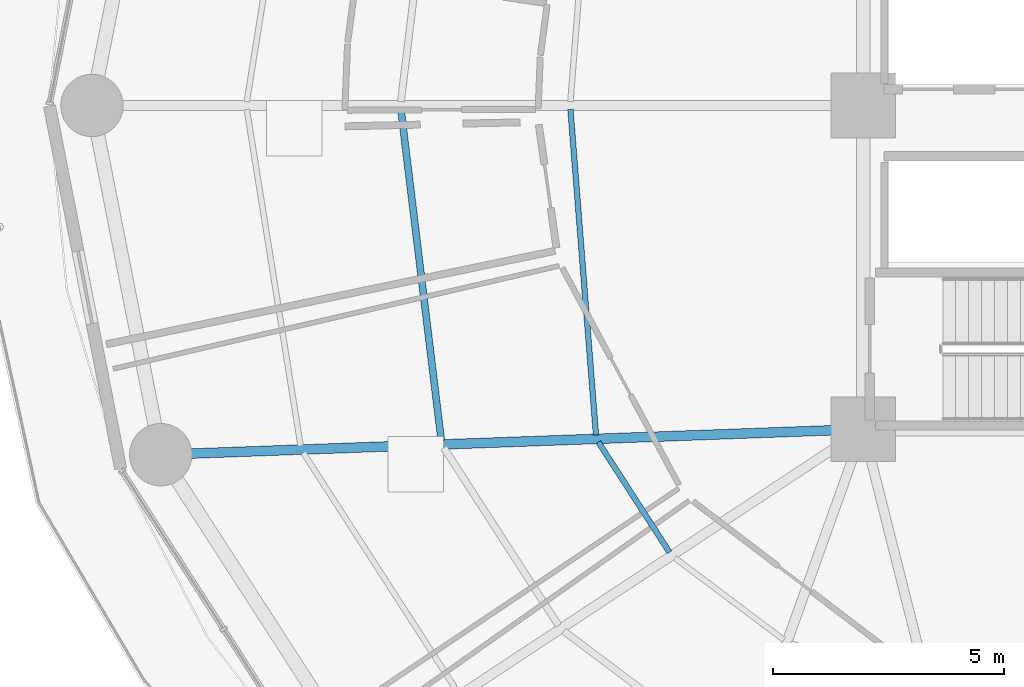
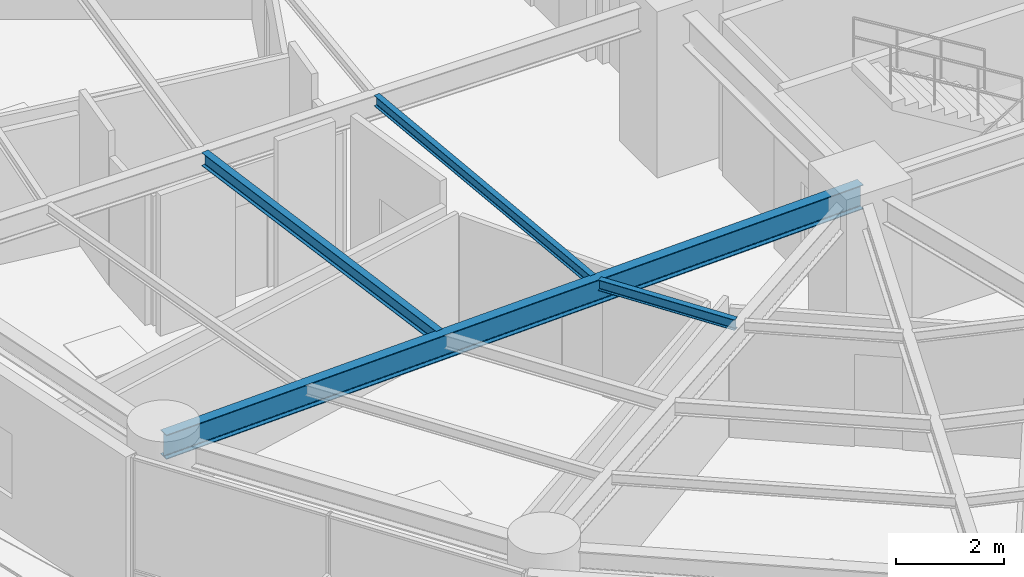
# One storey, part 7 of 35: 4 beams.
"""IFC4 building model written with IfcOpenShell, lengths in metres."""

from ifc_helpers import new_model, si_unit, direction, frame, origin, origin_2d, place, context, subcontext, project, spatial, i_section, extrude, material, material_profile, profile_set, type_object, element, save


model = new_model("IFC4")

# Units and contexts
model_context = context("Model", 3, precision=1e-05, world=origin(), true_north=direction((0.0, 1.0)))
body_context = subcontext(model_context, "Body", "Model", "MODEL_VIEW")
ifc_project = project(units=[si_unit("LENGTHUNIT", "METRE"), si_unit("AREAUNIT", "SQUARE_METRE"), si_unit("VOLUMEUNIT", "CUBIC_METRE"), si_unit("PLANEANGLEUNIT", "RADIAN"), si_unit("MASSUNIT", "GRAM", prefix="KILO")], contexts=[model_context])

# Site, building, storey
site_placement = place(None, origin())
site = spatial("IfcSite", under=ifc_project, at=site_placement, CompositionType="ELEMENT")
building_placement = place(site_placement, origin())
building = spatial("IfcBuilding", under=site, at=building_placement, Name="Kelanora Arch Commons", CompositionType="ELEMENT")
storey_placement = place(building_placement, frame((0.0, 0.0, 95.10009765625)))
storey = spatial("IfcBuildingStorey", under=building, at=storey_placement, Name="L24", CompositionType="ELEMENT", Elevation=95.10009765625)

# Beams
ifc_material = material(Name="Steel S355", Category="steel")
ifc_material_profile_1 = material_profile(ifc_material, i_section(OverallWidth=0.14990234375, OverallDepth=0.300048828125, WebThickness=0.007080078125, FlangeThickness=0.0107421875, FilletRadius=0.014892578125, at=origin_2d()), Name="IPE300")
ifc_profile_set_1 = profile_set([ifc_material_profile_1], Name="Steel S355")
beam_type_1 = type_object("IfcBeamType", Name="BM-JST-01", PredefinedType="JOIST", material=ifc_profile_set_1)
beam_1_placement = place(storey_placement, frame((56.002197265625, 57.91552734375, 3.33984375), z_axis=(0.120935645266, -0.992660349618, 0.0), x_axis=(0.992660349618, 0.120935645266, 0.0)))
element("IfcBeam", 1, at=beam_1_placement, inside=storey, type_object=beam_type_1, Name="Secondary Chord Joist BJB-18 L24", PredefinedType="JOIST", context=body_context, shape_type="SweptSolid", body=[
    extrude(i_section(OverallWidth=0.14990234375, OverallDepth=0.300048828125, WebThickness=0.007080078125, FlangeThickness=0.0107421875, FilletRadius=0.014892578125, at=origin_2d()), origin(), (0.0, 0.0, 1.0), 7.215087890625),
])
ifc_material_profile_2 = material_profile(ifc_material, i_section(OverallWidth=0.1201171875, OverallDepth=0.239990234375, WebThickness=0.006103515625, FlangeThickness=0.009765625, FilletRadius=0.014892578125, at=origin_2d()), Name="IPE240")
ifc_profile_set_2 = profile_set([ifc_material_profile_2], Name="Steel S355")
beam_type_2 = type_object("IfcBeamType", Name="BM-JST-02", PredefinedType="JOIST", material=ifc_profile_set_2)
beam_2_placement = place(storey_placement, frame((59.668212890625, 57.915283203125, 3.369873046875), z_axis=(0.078200677502, -0.996937637989, 0.0), x_axis=(0.996937637989, 0.078200677502, 0.0)))
element("IfcBeam", 2, at=beam_2_placement, inside=storey, type_object=beam_type_2, Name="Secondary Chord Joist BJA-18 L24", PredefinedType="JOIST", context=body_context, shape_type="SweptSolid", body=[
    extrude(i_section(OverallWidth=0.1201171875, OverallDepth=0.239990234375, WebThickness=0.006103515625, FlangeThickness=0.009765625, FilletRadius=0.014892578125, at=origin_2d()), origin(), (0.0, 0.0, 1.0), 7.06201171875),
])
beam_3_placement = place(storey_placement, frame((60.273193359375, 50.718994140625, 3.369873046875), z_axis=(0.542211255502, -0.840242199849, 0.0), x_axis=(0.840242199849, 0.542211255502, 0.0)))
element("IfcBeam", 3, at=beam_3_placement, inside=storey, type_object=beam_type_2, Name="Secondary Chord Joist BJA-20 L24", PredefinedType="JOIST", context=body_context, shape_type="SweptSolid", body=[
    extrude(i_section(OverallWidth=0.1201171875, OverallDepth=0.239990234375, WebThickness=0.006103515625, FlangeThickness=0.009765625, FilletRadius=0.014892578125, at=origin_2d()), origin(), (0.0, 0.0, 1.0), 2.83349609375),
])
ifc_material_profile_3 = material_profile(ifc_material, i_section(OverallWidth=0.2099609375, OverallDepth=0.550048828125, WebThickness=0.010986328125, FlangeThickness=0.01708984375, FilletRadius=0.02392578125, at=origin_2d()), Name="IPE550")
ifc_profile_set_3 = profile_set([ifc_material_profile_3], Name="Steel S355")
beam_type_3 = type_object("IfcBeamType", Name="BM-RAD-Z2", PredefinedType="BEAM", material=ifc_profile_set_3)
beam_4_placement = place(storey_placement, frame((66.0, 51.0, 3.21484375), z_axis=(-0.999341087625, -0.036295875581, 0.0), x_axis=(0.036295875581, -0.999341087625, 0.0)))
element("IfcBeam", 4, at=beam_4_placement, inside=storey, type_object=beam_type_3, Name="Radial Floor Girder BR-20 L24", PredefinedType="BEAM", context=body_context, shape_type="SweptSolid", body=[
    extrude(i_section(OverallWidth=0.2099609375, OverallDepth=0.550048828125, WebThickness=0.010986328125, FlangeThickness=0.01708984375, FilletRadius=0.02392578125, at=origin_2d()), origin(), (0.0, 0.0, 1.0), 15.20166015625),
])

save(model, "model.ifc")
